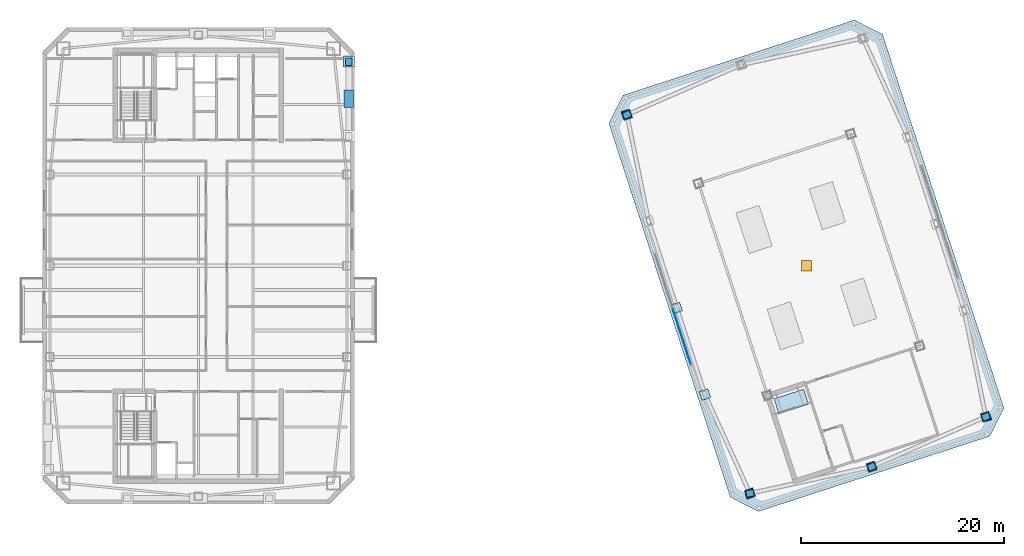
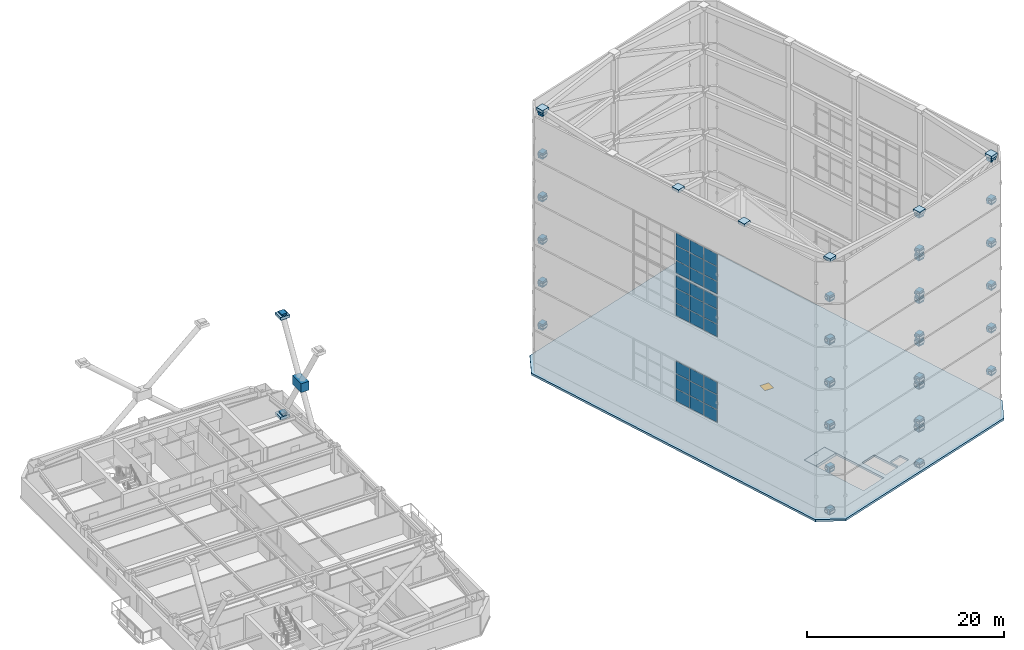
# One storey, part 45 of 56: 98 plates, 2 slabs, 1 door, 1 opening, 3 elements without a shape of their own.
"""IFC4 building model written with IfcOpenShell, lengths in metres."""

from ifc_helpers import new_model, si_unit, direction, frame, origin, origin_2d, place, context, subcontext, project, spatial, polyline, rectangle, outline, extrude, material, layer, layer_set, type_object, element, fill, aggregate, save


model = new_model("IFC4")

# Units and contexts
model_context = context("Model", 3, precision=1e-05, world=origin(), true_north=direction((0.0, 1.0)))
body_context = subcontext(model_context, "Body", "Model", "MODEL_VIEW")
ifc_project = project(units=[si_unit("LENGTHUNIT", "METRE"), si_unit("AREAUNIT", "SQUARE_METRE"), si_unit("VOLUMEUNIT", "CUBIC_METRE"), si_unit("PLANEANGLEUNIT", "RADIAN"), si_unit("MASSUNIT", "GRAM", prefix="KILO")], contexts=[model_context])

# Site, building, storey
site_placement = place(None, origin())
site = spatial("IfcSite", under=ifc_project, at=site_placement, CompositionType="ELEMENT")
building_placement = place(site_placement, origin())
building = spatial("IfcBuilding", under=site, at=building_placement, Name="Qiaolan Cultural Towers", CompositionType="ELEMENT")
storey_placement = place(building_placement, frame((0.0, 0.0, 250.39990234375)))
storey = spatial("IfcBuildingStorey", under=building, at=storey_placement, Name="L68", CompositionType="ELEMENT", Elevation=250.39990234375)

# Curtain wall, plates
ifc_material_1 = material(Name="Unitized Anodized Aluminium Curtain Wall System", Category="aluminium")
ifc_layer_1 = layer(ifc_material_1, 0.199951171875)
ifc_layer_set_1 = layer_set([ifc_layer_1], Name="Unitized Anodized Aluminium Curtain Wall System")
curtain_wall_type = type_object("IfcCurtainWallType", Name="CWS-06", PredefinedType="NOTDEFINED", material=ifc_layer_set_1)
curtain_wall_1_placement = place(storey_placement, origin())
curtain_wall_1 = element("IfcCurtainWall", 1, at=curtain_wall_1_placement, inside=storey, type_object=curtain_wall_type, Name="T2 Crown Tier 2 Fritted Screen Curtain Wall 7", PredefinedType="NOTDEFINED")
ifc_material_2 = material(Name="Laminated Low-E Insulating Glass Unit", Category="glass")
ifc_layer_2 = layer(ifc_material_2, 0.035888671875)
ifc_layer_set_2 = layer_set([ifc_layer_2], Name="Laminated Low-E Insulating Glass Unit")
plate_type_1 = type_object("IfcPlateType", Name="CWS-06-PNL", PredefinedType="CURTAIN_PANEL", material=ifc_layer_set_2)
plate_1_placement = place(storey_placement, frame((77.12451171875, 28.80712890625, 5.46533203125), z_axis=(0.0, 0.0, 1.0), x_axis=(0.309016935232, -0.951056535512, 0.0)))
plate_1 = element("IfcPlate", 2, at=plate_1_placement, type_object=plate_type_1, Name="CW-6 panel 4.1", PredefinedType="CURTAIN_PANEL", context=body_context, shape_type="SweptSolid", body=[
    extrude(rectangle(XDim=1.844970703125, YDim=0.035888671875, at=origin_2d()), origin(), (0.0, 0.0, 1.0), 1.532470703125),
])
plate_2_placement = place(storey_placement, frame((77.12451171875, 28.80712890625, 7.062744140625), z_axis=(0.0, 0.0, 1.0), x_axis=(0.309016935232, -0.951056535512, 0.0)))
plate_2 = element("IfcPlate", 3, at=plate_2_placement, type_object=plate_type_1, Name="CW-6 panel 4.2", PredefinedType="CURTAIN_PANEL", context=body_context, shape_type="SweptSolid", body=[
    extrude(rectangle(XDim=1.844970703125, YDim=0.035888671875, at=origin_2d()), origin(), (0.0, 0.0, 1.0), 1.77490234375),
])
plate_3_placement = place(storey_placement, frame((77.12451171875, 28.80712890625, 8.90283203125), z_axis=(0.0, 0.0, 1.0), x_axis=(0.309016935232, -0.951056535512, 0.0)))
plate_3 = element("IfcPlate", 4, at=plate_3_placement, type_object=plate_type_1, Name="CW-6 panel 4.3", PredefinedType="CURTAIN_PANEL", context=body_context, shape_type="SweptSolid", body=[
    extrude(rectangle(XDim=1.844970703125, YDim=0.035888671875, at=origin_2d()), origin(), (0.0, 0.0, 1.0), 1.532470703125),
])
plate_4_placement = place(storey_placement, frame((77.7177734375, 26.98095703125, 5.46533203125), z_axis=(0.0, 0.0, 1.0), x_axis=(0.309016935232, -0.951056535512, 0.0)))
plate_4 = element("IfcPlate", 5, at=plate_4_placement, type_object=plate_type_1, Name="CW-6 panel 5.1", PredefinedType="CURTAIN_PANEL", context=body_context, shape_type="SweptSolid", body=[
    extrude(rectangle(XDim=1.844970703125, YDim=0.035888671875, at=origin_2d()), origin(), (0.0, 0.0, 1.0), 1.532470703125),
])
plate_5_placement = place(storey_placement, frame((77.7177734375, 26.98095703125, 7.062744140625), z_axis=(0.0, 0.0, 1.0), x_axis=(0.309016935232, -0.951056535512, 0.0)))
plate_5 = element("IfcPlate", 6, at=plate_5_placement, type_object=plate_type_1, Name="CW-6 panel 5.2", PredefinedType="CURTAIN_PANEL", context=body_context, shape_type="SweptSolid", body=[
    extrude(rectangle(XDim=1.844970703125, YDim=0.035888671875, at=origin_2d()), origin(), (0.0, 0.0, 1.0), 1.77490234375),
])
plate_6_placement = place(storey_placement, frame((77.7177734375, 26.98095703125, 8.90283203125), z_axis=(0.0, 0.0, 1.0), x_axis=(0.309016935232, -0.951056535512, 0.0)))
plate_6 = element("IfcPlate", 7, at=plate_6_placement, type_object=plate_type_1, Name="CW-6 panel 5.3", PredefinedType="CURTAIN_PANEL", context=body_context, shape_type="SweptSolid", body=[
    extrude(rectangle(XDim=1.844970703125, YDim=0.035888671875, at=origin_2d()), origin(), (0.0, 0.0, 1.0), 1.532470703125),
])
plate_7_placement = place(storey_placement, frame((78.305419921875, 25.1728515625, 5.46533203125), z_axis=(0.0, 0.0, 1.0), x_axis=(0.309016935232, -0.951056535512, 0.0)))
plate_7 = element("IfcPlate", 8, at=plate_7_placement, type_object=plate_type_1, Name="CW-6 panel 6.1", PredefinedType="CURTAIN_PANEL", context=body_context, shape_type="SweptSolid", body=[
    extrude(rectangle(XDim=1.8076171875, YDim=0.035888671875, at=origin_2d()), origin(), (0.0, 0.0, 1.0), 1.532470703125),
])
plate_8_placement = place(storey_placement, frame((78.305419921875, 25.1728515625, 7.062744140625), z_axis=(0.0, 0.0, 1.0), x_axis=(0.309016935232, -0.951056535512, 0.0)))
plate_8 = element("IfcPlate", 9, at=plate_8_placement, type_object=plate_type_1, Name="CW-6 panel 6.2", PredefinedType="CURTAIN_PANEL", context=body_context, shape_type="SweptSolid", body=[
    extrude(rectangle(XDim=1.8076171875, YDim=0.035888671875, at=origin_2d()), origin(), (0.0, 0.0, 1.0), 1.77490234375),
])
plate_9_placement = place(storey_placement, frame((78.305419921875, 25.1728515625, 8.90283203125), z_axis=(0.0, 0.0, 1.0), x_axis=(0.309016935232, -0.951056535512, 0.0)))
plate_9 = element("IfcPlate", 10, at=plate_9_placement, type_object=plate_type_1, Name="CW-6 panel 6.3", PredefinedType="CURTAIN_PANEL", context=body_context, shape_type="SweptSolid", body=[
    extrude(rectangle(XDim=1.8076171875, YDim=0.035888671875, at=origin_2d()), origin(), (0.0, 0.0, 1.0), 1.532470703125),
])
aggregate(curtain_wall_1, [plate_1, plate_2, plate_3, plate_4, plate_5, plate_6, plate_7, plate_8, plate_9])

curtain_wall_2_placement = place(storey_placement, origin())
curtain_wall_2 = element("IfcCurtainWall", 11, at=curtain_wall_2_placement, inside=storey, type_object=curtain_wall_type, Name="T2 Crown Tier 4 Fritted Screen Curtain Wall 7", PredefinedType="NOTDEFINED")
plate_10_placement = place(storey_placement, frame((77.12451171875, 28.80712890625, 16.06494140625), z_axis=(0.0, 0.0, 1.0), x_axis=(0.309016935232, -0.951056535512, 0.0)))
plate_10 = element("IfcPlate", 12, at=plate_10_placement, type_object=plate_type_1, Name="CW-6 panel 4.1", PredefinedType="CURTAIN_PANEL", context=body_context, shape_type="SweptSolid", body=[
    extrude(rectangle(XDim=1.844970703125, YDim=0.035888671875, at=origin_2d()), origin(), (0.0, 0.0, 1.0), 1.532470703125),
])
plate_11_placement = place(storey_placement, frame((77.12451171875, 28.80712890625, 17.66259765625), z_axis=(0.0, 0.0, 1.0), x_axis=(0.309016935232, -0.951056535512, 0.0)))
plate_11 = element("IfcPlate", 13, at=plate_11_placement, type_object=plate_type_1, Name="CW-6 panel 4.2", PredefinedType="CURTAIN_PANEL", context=body_context, shape_type="SweptSolid", body=[
    extrude(rectangle(XDim=1.844970703125, YDim=0.035888671875, at=origin_2d()), origin(), (0.0, 0.0, 1.0), 1.77490234375),
])
plate_12_placement = place(storey_placement, frame((77.12451171875, 28.80712890625, 19.50244140625), z_axis=(0.0, 0.0, 1.0), x_axis=(0.309016935232, -0.951056535512, 0.0)))
plate_12 = element("IfcPlate", 14, at=plate_12_placement, type_object=plate_type_1, Name="CW-6 panel 4.3", PredefinedType="CURTAIN_PANEL", context=body_context, shape_type="SweptSolid", body=[
    extrude(rectangle(XDim=1.844970703125, YDim=0.035888671875, at=origin_2d()), origin(), (0.0, 0.0, 1.0), 1.532470703125),
])
plate_13_placement = place(storey_placement, frame((77.7177734375, 26.98095703125, 16.06494140625), z_axis=(0.0, 0.0, 1.0), x_axis=(0.309016935232, -0.951056535512, 0.0)))
plate_13 = element("IfcPlate", 15, at=plate_13_placement, type_object=plate_type_1, Name="CW-6 panel 5.1", PredefinedType="CURTAIN_PANEL", context=body_context, shape_type="SweptSolid", body=[
    extrude(rectangle(XDim=1.844970703125, YDim=0.035888671875, at=origin_2d()), origin(), (0.0, 0.0, 1.0), 1.532470703125),
])
plate_14_placement = place(storey_placement, frame((77.7177734375, 26.98095703125, 17.66259765625), z_axis=(0.0, 0.0, 1.0), x_axis=(0.309016935232, -0.951056535512, 0.0)))
plate_14 = element("IfcPlate", 16, at=plate_14_placement, type_object=plate_type_1, Name="CW-6 panel 5.2", PredefinedType="CURTAIN_PANEL", context=body_context, shape_type="SweptSolid", body=[
    extrude(rectangle(XDim=1.844970703125, YDim=0.035888671875, at=origin_2d()), origin(), (0.0, 0.0, 1.0), 1.77490234375),
])
plate_15_placement = place(storey_placement, frame((77.7177734375, 26.98095703125, 19.50244140625), z_axis=(0.0, 0.0, 1.0), x_axis=(0.309016935232, -0.951056535512, 0.0)))
plate_15 = element("IfcPlate", 17, at=plate_15_placement, type_object=plate_type_1, Name="CW-6 panel 5.3", PredefinedType="CURTAIN_PANEL", context=body_context, shape_type="SweptSolid", body=[
    extrude(rectangle(XDim=1.844970703125, YDim=0.035888671875, at=origin_2d()), origin(), (0.0, 0.0, 1.0), 1.532470703125),
])
plate_16_placement = place(storey_placement, frame((78.305419921875, 25.1728515625, 16.06494140625), z_axis=(0.0, 0.0, 1.0), x_axis=(0.309016935232, -0.951056535512, 0.0)))
plate_16 = element("IfcPlate", 18, at=plate_16_placement, type_object=plate_type_1, Name="CW-6 panel 6.1", PredefinedType="CURTAIN_PANEL", context=body_context, shape_type="SweptSolid", body=[
    extrude(rectangle(XDim=1.8076171875, YDim=0.035888671875, at=origin_2d()), origin(), (0.0, 0.0, 1.0), 1.532470703125),
])
plate_17_placement = place(storey_placement, frame((78.305419921875, 25.1728515625, 17.66259765625), z_axis=(0.0, 0.0, 1.0), x_axis=(0.309016935232, -0.951056535512, 0.0)))
plate_17 = element("IfcPlate", 19, at=plate_17_placement, type_object=plate_type_1, Name="CW-6 panel 6.2", PredefinedType="CURTAIN_PANEL", context=body_context, shape_type="SweptSolid", body=[
    extrude(rectangle(XDim=1.8076171875, YDim=0.035888671875, at=origin_2d()), origin(), (0.0, 0.0, 1.0), 1.77490234375),
])
plate_18_placement = place(storey_placement, frame((78.305419921875, 25.1728515625, 19.50244140625), z_axis=(0.0, 0.0, 1.0), x_axis=(0.309016935232, -0.951056535512, 0.0)))
plate_18 = element("IfcPlate", 20, at=plate_18_placement, type_object=plate_type_1, Name="CW-6 panel 6.3", PredefinedType="CURTAIN_PANEL", context=body_context, shape_type="SweptSolid", body=[
    extrude(rectangle(XDim=1.8076171875, YDim=0.035888671875, at=origin_2d()), origin(), (0.0, 0.0, 1.0), 1.532470703125),
])
aggregate(curtain_wall_2, [plate_10, plate_11, plate_12, plate_13, plate_14, plate_15, plate_16, plate_17, plate_18])

curtain_wall_3_placement = place(storey_placement, origin())
curtain_wall_3 = element("IfcCurtainWall", 21, at=curtain_wall_3_placement, inside=storey, type_object=curtain_wall_type, Name="T2 Crown Tier 5 Fritted Screen Curtain Wall 7", PredefinedType="NOTDEFINED")
plate_19_placement = place(storey_placement, frame((77.12451171875, 28.80712890625, 21.365234375), z_axis=(0.0, 0.0, 1.0), x_axis=(0.309016935232, -0.951056535512, 0.0)))
plate_19 = element("IfcPlate", 22, at=plate_19_placement, type_object=plate_type_1, Name="CW-6 panel 4.1", PredefinedType="CURTAIN_PANEL", context=body_context, shape_type="SweptSolid", body=[
    extrude(rectangle(XDim=1.844970703125, YDim=0.035888671875, at=origin_2d()), origin(), (0.0, 0.0, 1.0), 1.532470703125),
])
plate_20_placement = place(storey_placement, frame((77.12451171875, 28.80712890625, 22.962646484375), z_axis=(0.0, 0.0, 1.0), x_axis=(0.309016935232, -0.951056535512, 0.0)))
plate_20 = element("IfcPlate", 23, at=plate_20_placement, type_object=plate_type_1, Name="CW-6 panel 4.2", PredefinedType="CURTAIN_PANEL", context=body_context, shape_type="SweptSolid", body=[
    extrude(rectangle(XDim=1.844970703125, YDim=0.035888671875, at=origin_2d()), origin(), (0.0, 0.0, 1.0), 1.77490234375),
])
plate_21_placement = place(storey_placement, frame((77.12451171875, 28.80712890625, 24.802734375), z_axis=(0.0, 0.0, 1.0), x_axis=(0.309016935232, -0.951056535512, 0.0)))
plate_21 = element("IfcPlate", 24, at=plate_21_placement, type_object=plate_type_1, Name="CW-6 panel 4.3", PredefinedType="CURTAIN_PANEL", context=body_context, shape_type="SweptSolid", body=[
    extrude(rectangle(XDim=1.844970703125, YDim=0.035888671875, at=origin_2d()), origin(), (0.0, 0.0, 1.0), 1.532470703125),
])
plate_22_placement = place(storey_placement, frame((77.7177734375, 26.98095703125, 21.365234375), z_axis=(0.0, 0.0, 1.0), x_axis=(0.309016935232, -0.951056535512, 0.0)))
plate_22 = element("IfcPlate", 25, at=plate_22_placement, type_object=plate_type_1, Name="CW-6 panel 5.1", PredefinedType="CURTAIN_PANEL", context=body_context, shape_type="SweptSolid", body=[
    extrude(rectangle(XDim=1.844970703125, YDim=0.035888671875, at=origin_2d()), origin(), (0.0, 0.0, 1.0), 1.532470703125),
])
plate_23_placement = place(storey_placement, frame((77.7177734375, 26.98095703125, 22.962646484375), z_axis=(0.0, 0.0, 1.0), x_axis=(0.309016935232, -0.951056535512, 0.0)))
plate_23 = element("IfcPlate", 26, at=plate_23_placement, type_object=plate_type_1, Name="CW-6 panel 5.2", PredefinedType="CURTAIN_PANEL", context=body_context, shape_type="SweptSolid", body=[
    extrude(rectangle(XDim=1.844970703125, YDim=0.035888671875, at=origin_2d()), origin(), (0.0, 0.0, 1.0), 1.77490234375),
])
plate_24_placement = place(storey_placement, frame((77.7177734375, 26.98095703125, 24.802734375), z_axis=(0.0, 0.0, 1.0), x_axis=(0.309016935232, -0.951056535512, 0.0)))
plate_24 = element("IfcPlate", 27, at=plate_24_placement, type_object=plate_type_1, Name="CW-6 panel 5.3", PredefinedType="CURTAIN_PANEL", context=body_context, shape_type="SweptSolid", body=[
    extrude(rectangle(XDim=1.844970703125, YDim=0.035888671875, at=origin_2d()), origin(), (0.0, 0.0, 1.0), 1.532470703125),
])
plate_25_placement = place(storey_placement, frame((78.305419921875, 25.1728515625, 21.365234375), z_axis=(0.0, 0.0, 1.0), x_axis=(0.309016935232, -0.951056535512, 0.0)))
plate_25 = element("IfcPlate", 28, at=plate_25_placement, type_object=plate_type_1, Name="CW-6 panel 6.1", PredefinedType="CURTAIN_PANEL", context=body_context, shape_type="SweptSolid", body=[
    extrude(rectangle(XDim=1.8076171875, YDim=0.035888671875, at=origin_2d()), origin(), (0.0, 0.0, 1.0), 1.532470703125),
])
plate_26_placement = place(storey_placement, frame((78.305419921875, 25.1728515625, 22.962646484375), z_axis=(0.0, 0.0, 1.0), x_axis=(0.309016935232, -0.951056535512, 0.0)))
plate_26 = element("IfcPlate", 29, at=plate_26_placement, type_object=plate_type_1, Name="CW-6 panel 6.2", PredefinedType="CURTAIN_PANEL", context=body_context, shape_type="SweptSolid", body=[
    extrude(rectangle(XDim=1.8076171875, YDim=0.035888671875, at=origin_2d()), origin(), (0.0, 0.0, 1.0), 1.77490234375),
])
plate_27_placement = place(storey_placement, frame((78.305419921875, 25.1728515625, 24.802734375), z_axis=(0.0, 0.0, 1.0), x_axis=(0.309016935232, -0.951056535512, 0.0)))
plate_27 = element("IfcPlate", 30, at=plate_27_placement, type_object=plate_type_1, Name="CW-6 panel 6.3", PredefinedType="CURTAIN_PANEL", context=body_context, shape_type="SweptSolid", body=[
    extrude(rectangle(XDim=1.8076171875, YDim=0.035888671875, at=origin_2d()), origin(), (0.0, 0.0, 1.0), 1.532470703125),
])
aggregate(curtain_wall_3, [plate_19, plate_20, plate_21, plate_22, plate_23, plate_24, plate_25, plate_26, plate_27])

# Plates
ifc_material_3 = material(Name="Steel Q355B", Category="steel")
ifc_layer_3 = layer(ifc_material_3, 0.035888671875)
ifc_layer_set_3 = layer_set([ifc_layer_3], Name="Steel Q355B")
plate_type_2 = type_object("IfcPlateType", Name="PL-CONN-36", PredefinedType="USERDEFINED", material=ifc_layer_set_3)
for number, where, z_axis, x_axis, name in (
    (31, (44.85009765625, 54.14990234375, 12.1298828125), (0.0, 0.0, 1.0), (0.0, 1.0, 0.0), "L68 Brace End Connection Gusset Plate GP-02-0393"),
    (32, (44.85009765625, 54.14990234375, -0.2197265625), (0.0, 0.0, 1.0), (0.0, 1.0, 0.0), "L68 Brace End Connection Gusset Plate GP-02-0394"),
    (33, (84.42822265625, 11.538818359375, -0.1201171875), (0.0, 0.0, 1.0), (0.976843236391, 0.213956284125, 0.0), "L68 Brace End Connection Gusset Plate GP-02-0890"),
    (34, (96.443115234375, 14.17041015625, 4.455078125), (0.0, 0.0, 1.0), (0.976843236391, 0.213956284125, 0.0), "L68 Brace End Connection Gusset Plate GP-02-0891"),
    (35, (96.443115234375, 14.17041015625, -0.1201171875), (0.0, 0.0, 1.0), (0.916043134525, 0.401079762254, 0.0), "L68 Brace End Connection Gusset Plate GP-02-0892"),
    (36, (107.7099609375, 19.103515625, 4.455078125), (0.0, 0.0, 1.0), (0.916043134525, 0.401079762254, 0.0), "L68 Brace End Connection Gusset Plate GP-02-0893"),
    (37, (72.2900390625, 48.896484375, 4.455078125), (0.0, 0.0, 1.0), (0.916043134525, 0.401079762254, 0.0), "L68 Brace End Connection Gusset Plate GP-02-0897"),
    (38, (84.42822265625, 11.538818359375, 5.18017578125), (0.0, 0.0, 1.0), (0.976843236391, 0.213956284125, 0.0), "L68 Brace End Connection Gusset Plate GP-02-0898"),
    (39, (96.443115234375, 14.17041015625, 9.7548828125), (0.0, 0.0, 1.0), (0.976843236391, 0.213956284125, 0.0), "L68 Brace End Connection Gusset Plate GP-02-0899"),
    (40, (96.443115234375, 14.17041015625, 5.18017578125), (0.0, 0.0, 1.0), (0.916043134525, 0.401079762254, 0.0), "L68 Brace End Connection Gusset Plate GP-02-0900"),
    (41, (107.7099609375, 19.103515625, 9.7548828125), (0.0, 0.0, 1.0), (0.916043134525, 0.401079762254, 0.0), "L68 Brace End Connection Gusset Plate GP-02-0901"),
    (42, (72.2900390625, 48.896484375, 9.7548828125), (0.0, 0.0, 1.0), (0.916043134525, 0.401079762254, 0.0), "L68 Brace End Connection Gusset Plate GP-02-0905"),
    (43, (84.42822265625, 11.538818359375, 10.47998046875), (0.0, 0.0, 1.0), (0.976843236391, 0.213956284125, 0.0), "L68 Brace End Connection Gusset Plate GP-02-0906"),
    (44, (96.443115234375, 14.17041015625, 15.05517578125), (0.0, 0.0, 1.0), (0.976843236391, 0.213956284125, 0.0), "L68 Brace End Connection Gusset Plate GP-02-0907"),
    (45, (96.443115234375, 14.17041015625, 10.47998046875), (0.0, 0.0, 1.0), (0.916043134525, 0.401079762254, 0.0), "L68 Brace End Connection Gusset Plate GP-02-0908"),
    (46, (107.7099609375, 19.103515625, 15.05517578125), (0.0, 0.0, 1.0), (0.916043134525, 0.401079762254, 0.0), "L68 Brace End Connection Gusset Plate GP-02-0909"),
    (47, (72.2900390625, 48.896484375, 15.05517578125), (0.0, 0.0, 1.0), (0.916043134525, 0.401079762254, 0.0), "L68 Brace End Connection Gusset Plate GP-02-0913"),
    (48, (84.42822265625, 11.538818359375, 15.7802734375), (0.0, 0.0, 1.0), (0.976843236391, 0.213956284125, 0.0), "L68 Brace End Connection Gusset Plate GP-02-0914"),
    (49, (96.443115234375, 14.17041015625, 20.35498046875), (0.0, 0.0, 1.0), (0.976843236391, 0.213956284125, 0.0), "L68 Brace End Connection Gusset Plate GP-02-0915"),
    (50, (96.443115234375, 14.17041015625, 15.7802734375), (0.0, 0.0, 1.0), (0.916043134525, 0.401079762254, 0.0), "L68 Brace End Connection Gusset Plate GP-02-0916"),
    (51, (107.7099609375, 19.103515625, 20.35498046875), (0.0, 0.0, 1.0), (0.916043134525, 0.401079762254, 0.0), "L68 Brace End Connection Gusset Plate GP-02-0917"),
    (52, (72.2900390625, 48.896484375, 20.35498046875), (0.0, 0.0, 1.0), (0.916043134525, 0.401079762254, 0.0), "L68 Brace End Connection Gusset Plate GP-02-0921"),
    (53, (84.42822265625, 11.538818359375, 21.080078125), (0.0, 0.0, 1.0), (0.976843236391, 0.213956284125, 0.0), "L68 Brace End Connection Gusset Plate GP-02-0922"),
    (54, (96.443115234375, 14.17041015625, 25.6552734375), (0.0, 0.0, 1.0), (0.976843236391, 0.213956284125, 0.0), "L68 Brace End Connection Gusset Plate GP-02-0923"),
    (55, (96.443115234375, 14.17041015625, 21.080078125), (0.0, 0.0, 1.0), (0.916043134525, 0.401079762254, 0.0), "L68 Brace End Connection Gusset Plate GP-02-0924"),
    (56, (107.7099609375, 19.103515625, 25.6552734375), (0.0, 0.0, 1.0), (0.916043134525, 0.401079762254, 0.0), "L68 Brace End Connection Gusset Plate GP-02-0925"),
    (57, (72.2900390625, 48.896484375, 25.6552734375), (0.0, 0.0, 1.0), (0.916043134525, 0.401079762254, 0.0), "L68 Brace End Connection Gusset Plate GP-02-0929"),
    (58, (84.42822265625, 11.538818359375, 26.3798828125), (0.0, 0.0, 1.0), (0.976843236391, 0.213956284125, 0.0), "L68 Brace End Connection Gusset Plate GP-02-0930"),
    (59, (96.443115234375, 14.17041015625, 30.955078125), (0.0, 0.0, 1.0), (0.976843236391, 0.213956284125, 0.0), "L68 Brace End Connection Gusset Plate GP-02-0931"),
    (60, (96.443115234375, 14.17041015625, 26.3798828125), (0.0, 0.0, 1.0), (0.916043134525, 0.401079762254, 0.0), "L68 Brace End Connection Gusset Plate GP-02-0932"),
    (61, (107.7099609375, 19.103515625, 30.955078125), (0.0, 0.0, 1.0), (0.916043134525, 0.401079762254, 0.0), "L68 Brace End Connection Gusset Plate GP-02-0933"),
    (62, (72.2900390625, 48.896484375, 30.955078125), (0.0, 0.0, 1.0), (0.916043134525, 0.401079762254, 0.0), "L68 Brace End Connection Gusset Plate GP-02-0937"),
):
    element("IfcPlate", number, at=place(storey_placement, frame(where, z_axis=z_axis, x_axis=x_axis)), inside=storey, type_object=plate_type_2, Name=name, ObjectType="GUSSET_PLATE", PredefinedType="USERDEFINED", context=body_context, shape_type="SweptSolid", body=[
        extrude(rectangle(XDim=0.739990234375, YDim=0.6201171875, at=origin_2d()), origin(), (0.0, 0.0, 1.0), 0.739990234375),
    ])
ifc_material_4 = material(Name="Steel Q355B", Category="steel")
ifc_layer_4 = layer(ifc_material_4, 0.030029296875)
ifc_layer_set_4 = layer_set([ifc_layer_4], Name="Steel Q355B")
plate_type_3 = type_object("IfcPlateType", Name="PL-ENDCAP-30", PredefinedType="USERDEFINED", material=ifc_layer_set_4)
for number, where, z_axis, x_axis, name in (
    (63, (44.85009765625, 54.14990234375, -0.02490234375), (0.0, 0.0, 1.0), (0.0, 1.0, 0.0), "Hollow Brace End Seal Cap Plate CP-01"),
    (64, (44.85009765625, 54.14990234375, 12.324951171875), (0.0, 0.0, 1.0), (0.0, 1.0, 0.0), "Hollow Brace End Seal Cap Plate CP-01"),
):
    element("IfcPlate", number, at=place(storey_placement, frame(where, z_axis=z_axis, x_axis=x_axis)), inside=storey, type_object=plate_type_3, Name=name, ObjectType="BASE_PLATE", PredefinedType="USERDEFINED", context=body_context, shape_type="SweptSolid", body=[
        extrude(rectangle(XDim=1.10009765625, YDim=1.10009765625, at=origin_2d()), origin(), (0.0, 0.0, 1.0), 0.35009765625),
    ])
for number, where, z_axis, x_axis, name in (
    (65, (84.42822265625, 11.538818359375, 0.10009765625), (0.0, 0.0, 1.0), (0.951056516295, 0.309016994375, 0.0), "Crown Brace End Seal Plate CP-01"),
    (66, (96.443115234375, 14.17041015625, 4.67529296875), (0.0, 0.0, 1.0), (0.951056516295, 0.309016994375, 0.0), "Crown Brace End Seal Plate CP-01"),
    (67, (96.443115234375, 14.17041015625, 0.10009765625), (0.0, 0.0, 1.0), (0.951056516295, 0.309016994375, 0.0), "Crown Brace End Seal Plate CP-01"),
    (68, (107.7099609375, 19.103515625, 4.67529296875), (0.0, 0.0, 1.0), (0.951056516295, 0.309016994375, 0.0), "Crown Brace End Seal Plate CP-01"),
    (69, (72.2900390625, 48.896484375, 4.67529296875), (0.0, 0.0, 1.0), (0.951056516295, 0.309016994375, 0.0), "Crown Brace End Seal Plate CP-01"),
    (70, (84.42822265625, 11.538818359375, 5.39990234375), (0.0, 0.0, 1.0), (0.951056516295, 0.309016994375, 0.0), "Crown Brace End Seal Plate CP-01"),
    (71, (96.443115234375, 14.17041015625, 9.97509765625), (0.0, 0.0, 1.0), (0.951056516295, 0.309016994375, 0.0), "Crown Brace End Seal Plate CP-01"),
    (72, (96.443115234375, 14.17041015625, 5.39990234375), (0.0, 0.0, 1.0), (0.951056516295, 0.309016994375, 0.0), "Crown Brace End Seal Plate CP-01"),
    (73, (107.7099609375, 19.103515625, 9.97509765625), (0.0, 0.0, 1.0), (0.951056516295, 0.309016994375, 0.0), "Crown Brace End Seal Plate CP-01"),
    (74, (72.2900390625, 48.896484375, 9.97509765625), (0.0, 0.0, 1.0), (0.951056516295, 0.309016994375, 0.0), "Crown Brace End Seal Plate CP-01"),
    (75, (84.42822265625, 11.538818359375, 10.7001953125), (0.0, 0.0, 1.0), (0.951056516295, 0.309016994375, 0.0), "Crown Brace End Seal Plate CP-01"),
    (76, (96.443115234375, 14.17041015625, 15.27490234375), (0.0, 0.0, 1.0), (0.951056516295, 0.309016994375, 0.0), "Crown Brace End Seal Plate CP-01"),
    (77, (96.443115234375, 14.17041015625, 10.7001953125), (0.0, 0.0, 1.0), (0.951056516295, 0.309016994375, 0.0), "Crown Brace End Seal Plate CP-01"),
    (78, (107.7099609375, 19.103515625, 15.27490234375), (0.0, 0.0, 1.0), (0.951056516295, 0.309016994375, 0.0), "Crown Brace End Seal Plate CP-01"),
    (79, (72.2900390625, 48.896484375, 15.27490234375), (0.0, 0.0, 1.0), (0.951056516295, 0.309016994375, 0.0), "Crown Brace End Seal Plate CP-01"),
    (80, (84.42822265625, 11.538818359375, 16.0), (0.0, 0.0, 1.0), (0.951056516295, 0.309016994375, 0.0), "Crown Brace End Seal Plate CP-01"),
    (81, (96.443115234375, 14.17041015625, 20.5751953125), (0.0, 0.0, 1.0), (0.951056516295, 0.309016994375, 0.0), "Crown Brace End Seal Plate CP-01"),
    (82, (96.443115234375, 14.17041015625, 16.0), (0.0, 0.0, 1.0), (0.951056516295, 0.309016994375, 0.0), "Crown Brace End Seal Plate CP-01"),
    (83, (107.7099609375, 19.103515625, 20.5751953125), (0.0, 0.0, 1.0), (0.951056516295, 0.309016994375, 0.0), "Crown Brace End Seal Plate CP-01"),
    (84, (72.2900390625, 48.896484375, 20.5751953125), (0.0, 0.0, 1.0), (0.951056516295, 0.309016994375, 0.0), "Crown Brace End Seal Plate CP-01"),
    (85, (84.42822265625, 11.538818359375, 21.30029296875), (0.0, 0.0, 1.0), (0.951056516295, 0.309016994375, 0.0), "Crown Brace End Seal Plate CP-01"),
    (86, (96.443115234375, 14.17041015625, 25.875), (0.0, 0.0, 1.0), (0.951056516295, 0.309016994375, 0.0), "Crown Brace End Seal Plate CP-01"),
    (87, (96.443115234375, 14.17041015625, 21.30029296875), (0.0, 0.0, 1.0), (0.951056516295, 0.309016994375, 0.0), "Crown Brace End Seal Plate CP-01"),
    (88, (107.7099609375, 19.103515625, 25.875), (0.0, 0.0, 1.0), (0.951056516295, 0.309016994375, 0.0), "Crown Brace End Seal Plate CP-01"),
    (89, (72.2900390625, 48.896484375, 25.875), (0.0, 0.0, 1.0), (0.951056516295, 0.309016994375, 0.0), "Crown Brace End Seal Plate CP-01"),
    (90, (84.42822265625, 11.538818359375, 26.60009765625), (0.0, 0.0, 1.0), (0.951056516295, 0.309016994375, 0.0), "Crown Brace End Seal Plate CP-01"),
    (91, (96.443115234375, 14.17041015625, 31.17529296875), (0.0, 0.0, 1.0), (0.951056516295, 0.309016994375, 0.0), "Crown Brace End Seal Plate CP-01"),
    (92, (96.443115234375, 14.17041015625, 26.60009765625), (0.0, 0.0, 1.0), (0.951056516295, 0.309016994375, 0.0), "Crown Brace End Seal Plate CP-01"),
    (93, (107.7099609375, 19.103515625, 31.17529296875), (0.0, 0.0, 1.0), (0.951056516295, 0.309016994375, 0.0), "Crown Brace End Seal Plate CP-01"),
    (94, (72.2900390625, 48.896484375, 31.17529296875), (0.0, 0.0, 1.0), (0.951056516295, 0.309016994375, 0.0), "Crown Brace End Seal Plate CP-01"),
):
    element("IfcPlate", number, at=place(storey_placement, frame(where, z_axis=z_axis, x_axis=x_axis)), inside=storey, type_object=plate_type_3, Name=name, ObjectType="BASE_PLATE", PredefinedType="USERDEFINED", context=body_context, shape_type="SweptSolid", body=[
        extrude(rectangle(XDim=0.75, YDim=0.75, at=origin_2d()), origin(), (0.0, 0.0, 1.0), 0.300048828125),
    ])
for number, where, z_axis, x_axis, name in (
    (95, (79.989501953125, 21.2841796875, 31.47509765625), (0.0, 0.0, 1.0), (0.951056516295, 0.309016994375, 0.0), "Crown Top Cap Corner Seal Plate CP-01"),
    (96, (84.42822265625, 11.538818359375, 31.47509765625), (0.0, 0.0, 1.0), (0.951056516295, 0.309016994375, 0.0), "Crown Top Cap Corner Seal Plate CP-01"),
    (97, (96.443115234375, 14.17041015625, 31.47509765625), (0.0, 0.0, 1.0), (0.951056516295, 0.309016994375, 0.0), "Crown Top Cap Corner Seal Plate CP-01"),
    (98, (107.7099609375, 19.103515625, 31.47509765625), (0.0, 0.0, 1.0), (0.951056516295, 0.309016994375, 0.0), "Crown Top Cap Corner Seal Plate CP-01"),
    (99, (72.2900390625, 48.896484375, 31.47509765625), (0.0, 0.0, 1.0), (0.951056516295, 0.309016994375, 0.0), "Crown Top Cap Corner Seal Plate CP-01"),
    (100, (77.208251953125, 29.84375, 31.47509765625), (0.0, 0.0, 1.0), (0.951056516295, 0.309016994375, 0.0), "Crown Top Cap Corner Seal Plate CP-01"),
):
    element("IfcPlate", number, at=place(storey_placement, frame(where, z_axis=z_axis, x_axis=x_axis)), inside=storey, type_object=plate_type_3, Name=name, ObjectType="BASE_PLATE", PredefinedType="USERDEFINED", context=body_context, shape_type="SweptSolid", body=[
        extrude(rectangle(XDim=0.89990234375, YDim=0.89990234375, at=origin_2d()), origin(), (0.0, 0.0, 1.0), 0.35009765625),
    ])
ifc_material_5 = material(Name="Steel Q390GJB", Category="steel")
ifc_layer_5 = layer(ifc_material_5, 0.0458984375)
ifc_layer_set_5 = layer_set([ifc_layer_5], Name="Steel Q390GJB")
plate_type_4 = type_object("IfcPlateType", Name="PL-NODE-ND03", PredefinedType="USERDEFINED", material=ifc_layer_set_5)
plate_28_placement = place(storey_placement, frame((44.85009765625, 50.47509765625, 5.775146484375), z_axis=(0.0, 0.0, 1.0), x_axis=(0.0, 1.0, 0.0)))
element("IfcPlate", 101, at=plate_28_placement, inside=storey, type_object=plate_type_4, Name="Perimeter Frame Gusset Node Assembly ND-03", ObjectType="GUSSET_PLATE", PredefinedType="USERDEFINED", context=body_context, shape_type="SweptSolid", body=[
    extrude(rectangle(XDim=1.760009765625, YDim=0.9599609375, at=origin_2d()), origin(), (0.0, 0.0, 1.0), 1.10009765625),
])

# Slab
ifc_material_6 = material(Name="Concrete C40", Category="concrete")
ifc_layer_6 = layer(ifc_material_6, 0.360107421875)
ifc_layer_set_6 = layer_set([ifc_layer_6], Name="Concrete C40")
slab_type_1 = type_object("IfcSlabType", Name="SL-STFLR-360", PredefinedType="LANDING", material=ifc_layer_set_6)
slab_1_placement = place(storey_placement, frame((0.0, 0.0, -0.35986328125)))
element("IfcSlab", 102, at=slab_1_placement, inside=storey, type_object=slab_type_1, Name="L68 ST-E1 Stair Floor Landing Slab", PredefinedType="LANDING", context=body_context, shape_type="SweptSolid", body=[
    extrude(outline(polyline([(86.8037109375, 20.867431640625), (87.282470703125, 19.39404296875), (90.2080078125, 20.3447265625), (89.729248046875, 21.818115234375), (86.8037109375, 20.867431640625)])), origin(), (0.0, 0.0, 1.0), 0.35986328125),
])

# Slab, opening, door
ifc_material_7 = material(Name="Concrete C45", Category="concrete")
ifc_layer_7 = layer(ifc_material_7, 0.260009765625)
ifc_layer_set_7 = layer_set([ifc_layer_7], Name="Concrete C45")
slab_type_2 = type_object("IfcSlabType", Name="SL-TWR-ROOF-260", PredefinedType="ROOF", material=ifc_layer_set_7)
slab_2_placement = place(storey_placement, frame((0.0, 0.0, -0.260009765625)))
slab_2 = element("IfcSlab", 103, at=slab_2_placement, inside=storey, type_object=slab_type_2, Name="East Tower Main Roof Deck Slab", PredefinedType="ROOF", context=body_context, shape_type="SweptSolid", body=[
    extrude(outline(polyline([(85.26220703125, 9.7490234375), (108.08740234375, 17.165283203125), (109.5, 19.9375), (97.510009765625, 56.838623046875), (94.73779296875, 58.2509765625), (71.91259765625, 50.834716796875), (70.5, 48.0625), (82.489990234375, 11.161376953125), (85.26220703125, 9.7490234375)]), holes=[polyline([(86.80126953125, 20.868896484375), (89.30419921875, 13.165283203125), (92.2333984375, 14.116943359375), (89.73046875, 21.820556640625), (86.80126953125, 20.868896484375)]), polyline([(92.666259765625, 14.468017578125), (94.42578125, 15.03955078125), (93.42138671875, 18.130615234375), (91.661865234375, 17.558837890625), (92.666259765625, 14.468017578125)]), polyline([(94.5908203125, 15.14599609375), (96.027099609375, 15.612548828125), (95.66552734375, 16.725341796875), (94.2294921875, 16.258544921875), (94.5908203125, 15.14599609375)])]), origin(), (0.0, 0.0, 1.0), 0.260009765625),
])
opening_placement = place(slab_2_placement, frame((90.0, 34.0, 0.0)))
opening = element("IfcOpeningElement", 104, at=opening_placement, cuts=slab_2, Name="Opening RH-T2", PredefinedType="OPENING", context=body_context, shape_type="SweptSolid", body=[
    extrude(rectangle(XDim=1.0, YDim=1.0, at=origin_2d()), origin(), (0.0, 0.0, 1.0), 0.260009765625),
])
ifc_material_8 = material(Name="Insulated Aluminium Roof Access Hatch", Category="aluminium")
door_type = type_object("IfcDoorType", Name="DR-HATCH-1000", OperationType="NOTDEFINED", PredefinedType="TRAPDOOR", material=ifc_material_8)
door_placement = place(opening_placement, frame((0.0, 0.0, 0.2099609375)))
door = element("IfcDoor", 105, at=door_placement, inside=storey, type_object=door_type, Name="T2 Crown Plant Roof Maintenance Hatch", OperationType="SINGLE_SWING_LEFT", OverallHeight=1.0, OverallWidth=1.0, PredefinedType="TRAPDOOR", context=body_context, shape_type="SweptSolid", body=[
    extrude(rectangle(XDim=1.0, YDim=1.0, at=origin_2d()), origin(), (0.0, 0.0, 1.0), 0.050048828125),
])
fill(opening, door)

save(model, "model.ifc")
